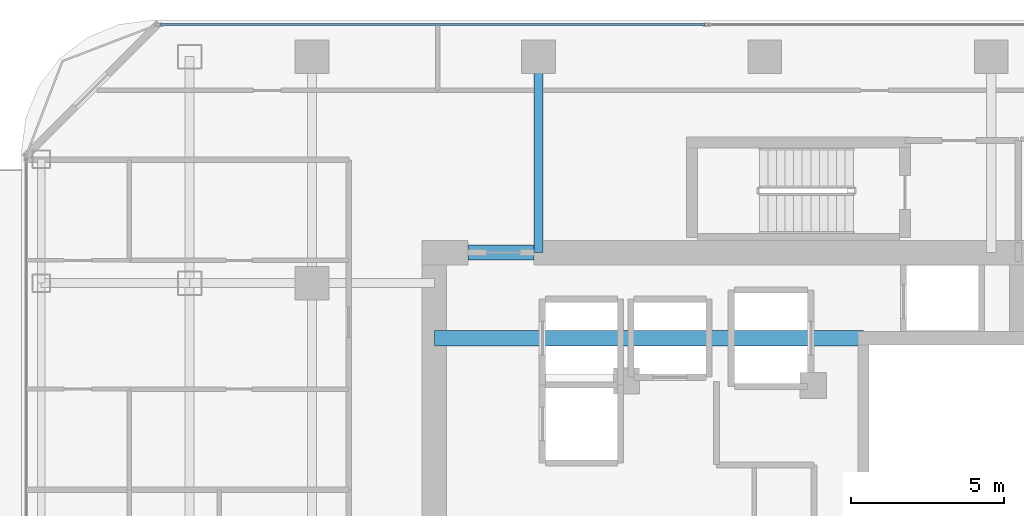
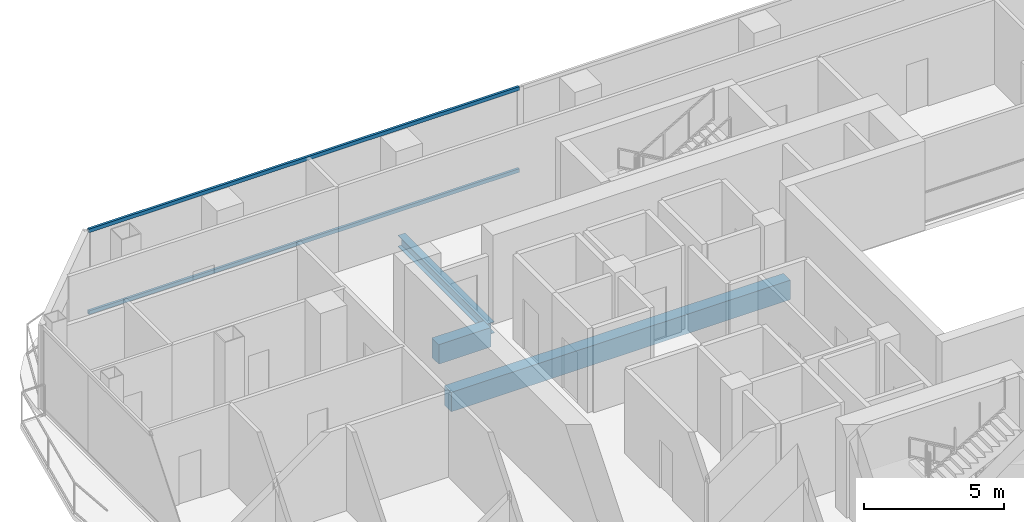
# One storey, part 12 of 23: 3 beams, 2 members, 1 element without a shape of its own.
"""IFC4 building model written with IfcOpenShell, lengths in metres."""

from ifc_helpers import new_model, si_unit, direction, frame, origin, origin_2d, place, context, subcontext, project, spatial, rectangle, hollow_rectangle, i_section, extrude, material, layer, layer_set, material_profile, profile_set, type_object, element, aggregate, save


model = new_model("IFC4")

# Units and contexts
model_context = context("Model", 3, precision=1e-05, world=origin(), true_north=direction((0.0, 1.0)))
body_context = subcontext(model_context, "Body", "Model", "MODEL_VIEW")
ifc_project = project(units=[si_unit("LENGTHUNIT", "METRE"), si_unit("AREAUNIT", "SQUARE_METRE"), si_unit("VOLUMEUNIT", "CUBIC_METRE"), si_unit("PLANEANGLEUNIT", "RADIAN"), si_unit("MASSUNIT", "GRAM", prefix="KILO")], contexts=[model_context])

# Site, building, storey
site_placement = place(None, origin())
site = spatial("IfcSite", under=ifc_project, at=site_placement, CompositionType="ELEMENT")
building_placement = place(site_placement, origin())
building = spatial("IfcBuilding", under=site, at=building_placement, Name="Khorvyn Point Tower", CompositionType="ELEMENT")
storey_placement = place(building_placement, frame((0.0, 0.0, 199.199951171875)))
storey = spatial("IfcBuildingStorey", under=building, at=storey_placement, Name="L49", CompositionType="ELEMENT", Elevation=199.199951171875)

# Curtain wall, members
ifc_material_1 = material(Name="Anodised aluminium 6063-T6 and laminated Low-E glass", Category="aluminium")
ifc_layer = layer(ifc_material_1, 0.18994140625)
ifc_layer_set = layer_set([ifc_layer], Name="Stick-Built Acoustic Curtain Wall CW-SYS-03")
curtain_wall_type = type_object("IfcCurtainWallType", Name="Stick-Built Acoustic Curtain Wall CW-SYS-03", PredefinedType="NOTDEFINED", material=ifc_layer_set)
curtain_wall_placement = place(storey_placement, origin())
curtain_wall = element("IfcCurtainWall", 1, at=curtain_wall_placement, inside=storey, type_object=curtain_wall_type, Name="Curtain Wall", PredefinedType="NOTDEFINED")
ifc_material_2 = material(Name="Anodised aluminium 6063-T6", Category="aluminium")
ifc_material_profile_1 = material_profile(ifc_material_2, hollow_rectangle(XDim=0.10009765625, YDim=0.159912109375, WallThickness=0.00439453125, at=origin_2d()))
ifc_profile_set_1 = profile_set([ifc_material_profile_1], Name="Anodised aluminium 6063-T6 ALU-TRN-100x160")
member_type = type_object("IfcMemberType", Name="Anodised Aluminium 6063-T6 Transom ALU-TRN-100x160", PredefinedType="USERDEFINED", material=ifc_profile_set_1)
member_1_placement = place(storey_placement, frame((-19.75, 15.85009765625, 0.050048828125), z_axis=(1.0, 0.0, 0.0), x_axis=(0.0, 1.0, 0.0)))
member_1 = element("IfcMember", 2, at=member_1_placement, type_object=member_type, Name="Transom", ObjectType="TRANSOM", PredefinedType="USERDEFINED", context=body_context, shape_type="SweptSolid", body=[
    extrude(hollow_rectangle(XDim=0.10009765625, YDim=0.159912109375, WallThickness=0.00439453125, at=origin_2d()), origin(), (0.0, 0.0, 1.0), 17.800048828125),
])
member_2_placement = place(storey_placement, frame((-19.75, 15.85009765625, 3.630126953125), z_axis=(1.0, 0.0, 0.0), x_axis=(0.0, 1.0, 0.0)))
member_2 = element("IfcMember", 3, at=member_2_placement, type_object=member_type, Name="Transom", ObjectType="TRANSOM", PredefinedType="USERDEFINED", context=body_context, shape_type="SweptSolid", body=[
    extrude(hollow_rectangle(XDim=0.10009765625, YDim=0.159912109375, WallThickness=0.00439453125, at=origin_2d()), origin(), (0.0, 0.0, 1.0), 17.800048828125),
])
aggregate(curtain_wall, [member_1, member_2])

# Beams
ifc_material_3 = material(Name="Concrete C45/55", Category="concrete")
ifc_material_profile_2 = material_profile(ifc_material_3, rectangle(XDim=0.5, YDim=0.85009765625, at=origin_2d()))
ifc_profile_set_2 = profile_set([ifc_material_profile_2], Name="Concrete C45/55 RC500x850")
beam_type_1 = type_object("IfcBeamType", Name="Concrete C45/55 Beam RC500x850", PredefinedType="BEAM", material=ifc_profile_set_2)
beam_1_placement = place(storey_placement, frame((-10.800048828125, 5.60009765625, -0.64501953125), z_axis=(1.0, 0.0, 0.0), x_axis=(0.0, 1.0, 0.0)))
element("IfcBeam", 4, at=beam_1_placement, inside=storey, type_object=beam_type_1, Name="L49 Core Internal Tie Girder N", PredefinedType="BEAM", context=body_context, shape_type="SweptSolid", body=[
    extrude(rectangle(XDim=0.5, YDim=0.85009765625, at=origin_2d()), origin(), (0.0, 0.0, 1.0), 14.02001953125),
])
beam_2_placement = place(storey_placement, frame((-9.699951171875, 8.39990234375, -0.64501953125), z_axis=(1.0, 0.0, 0.0), x_axis=(0.0, 1.0, 0.0)))
element("IfcBeam", 5, at=beam_2_placement, inside=storey, type_object=beam_type_1, Name="L49 Core Northwest Portal Coupling Beam", PredefinedType="BEAM", context=body_context, shape_type="SweptSolid", body=[
    extrude(rectangle(XDim=0.5, YDim=0.85009765625, at=origin_2d()), origin(), (0.0, 0.0, 1.0), 2.14990234375),
])
ifc_material_4 = material(Name="Steel S355", Category="steel")
ifc_material_profile_3 = material_profile(ifc_material_4, i_section(OverallWidth=0.300048828125, OverallDepth=0.488037109375, WebThickness=0.010986328125, FlangeThickness=0.01806640625, at=origin_2d()))
ifc_profile_set_3 = profile_set([ifc_material_profile_3], Name="Steel S355 H488x300x11x18")
beam_type_2 = type_object("IfcBeamType", Name="Steel S355 Spandrel H488x300x11x18", PredefinedType="SPANDREL", material=ifc_profile_set_3)
beam_3_placement = place(storey_placement, frame((-7.39990234375, 8.39990234375, -0.4638671875), z_axis=(0.0, 1.0, 0.0), x_axis=(-1.0, 0.0, 0.0)))
element("IfcBeam", 6, at=beam_3_placement, inside=storey, type_object=beam_type_2, Name="Beam", PredefinedType="SPANDREL", context=body_context, shape_type="SweptSolid", body=[
    extrude(i_section(OverallWidth=0.300048828125, OverallDepth=0.488037109375, WebThickness=0.010986328125, FlangeThickness=0.01806640625, at=origin_2d()), origin(), (0.0, 0.0, 1.0), 6.400146484375),
])

save(model, "model.ifc")
